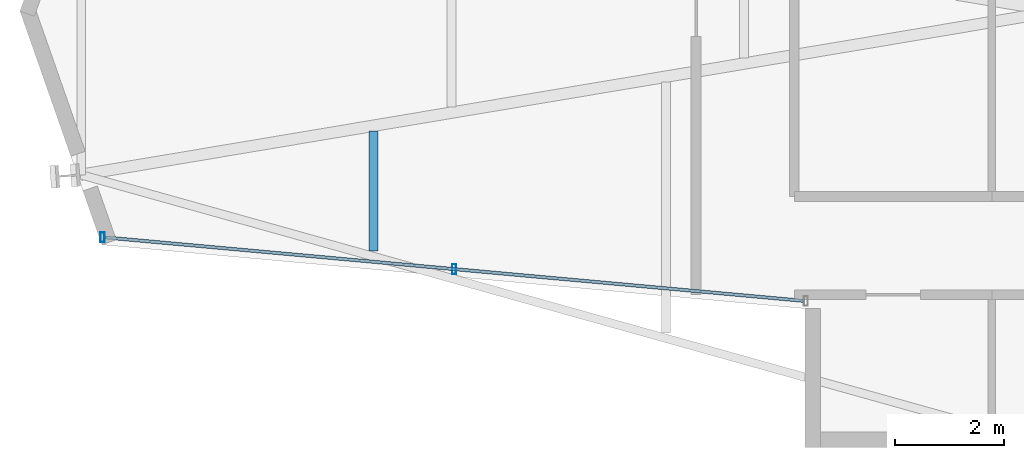
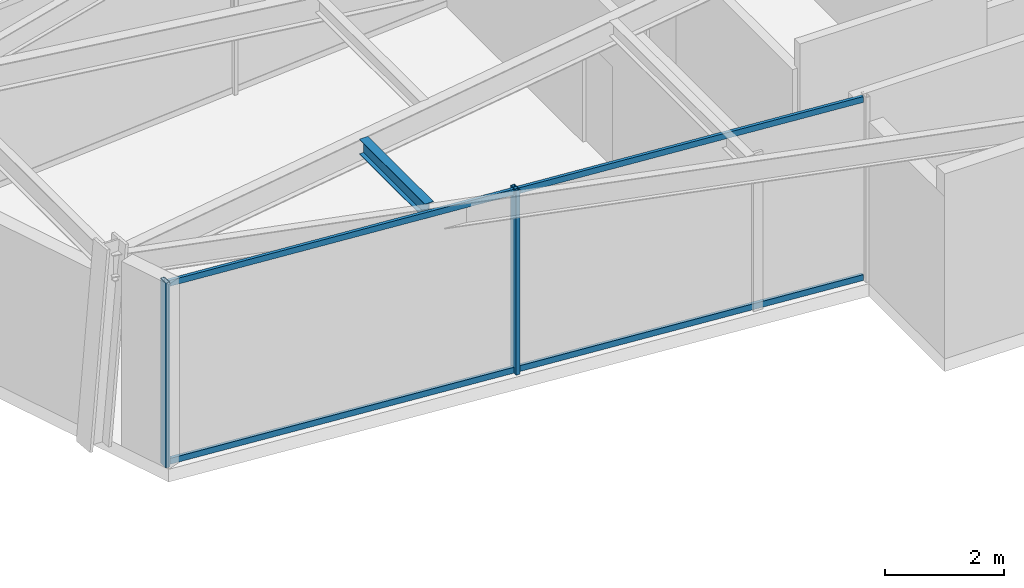
# One storey, part 2 of 23: 4 members, 1 beam, 1 element without a shape of its own.
"""IFC4 building model written with IfcOpenShell, lengths in metres."""

from ifc_helpers import new_model, si_unit, direction, frame, origin, origin_2d, place, context, subcontext, project, spatial, hollow_rectangle, i_section, extrude, material, layer, layer_set, material_profile, profile_set, type_object, element, aggregate, save


model = new_model("IFC4")

# Units and contexts
model_context = context("Model", 3, precision=1e-05, world=origin(), true_north=direction((0.0, 1.0)))
body_context = subcontext(model_context, "Body", "Model", "MODEL_VIEW")
ifc_project = project(units=[si_unit("LENGTHUNIT", "METRE"), si_unit("AREAUNIT", "SQUARE_METRE"), si_unit("VOLUMEUNIT", "CUBIC_METRE"), si_unit("PLANEANGLEUNIT", "RADIAN"), si_unit("MASSUNIT", "GRAM", prefix="KILO")], contexts=[model_context])

# Site, building, storey
site_placement = place(None, origin())
site = spatial("IfcSite", under=ifc_project, at=site_placement, CompositionType="ELEMENT")
building_placement = place(site_placement, origin())
building = spatial("IfcBuilding", under=site, at=building_placement, Name="Veymaron Broadcast Tower", CompositionType="ELEMENT")
storey_placement = place(building_placement, frame((0.0, 0.0, 199.949951171875)))
storey = spatial("IfcBuildingStorey", under=building, at=storey_placement, Name="L46", CompositionType="ELEMENT", Elevation=199.949951171875)

# Beam
ifc_material_1 = material(Name="Structural steel ASTM A992 Gr 50", Category="steel")
ifc_material_profile_1 = material_profile(ifc_material_1, i_section(OverallWidth=0.1650390625, OverallDepth=0.31005859375, WebThickness=0.005859375, FlangeThickness=0.009765625, at=origin_2d()), Name="W310X39")
ifc_profile_set_1 = profile_set([ifc_material_profile_1], Name="Structural steel ASTM A992 Gr 50")
beam_type = type_object("IfcBeamType", Name="BM-JS3", PredefinedType="JOIST", material=ifc_profile_set_1)
beam_placement = place(storey_placement, frame((18.68408203125, 19.60009765625, 3.635009765625), z_axis=(0.0, 1.0, 0.0), x_axis=(-1.0, 0.0, 0.0)))
element("IfcBeam", 1, at=beam_placement, inside=storey, type_object=beam_type, Name="L46 Arm-A secondary joist 1S", PredefinedType="JOIST", context=body_context, shape_type="SweptSolid", body=[
    extrude(i_section(OverallWidth=0.1650390625, OverallDepth=0.31005859375, WebThickness=0.005859375, FlangeThickness=0.009765625, at=origin_2d()), origin(), (0.0, 0.0, 1.0), 2.199951171875),
])

# Curtain wall, members
ifc_material_2 = material(Name="Anodised aluminium AA 6063-T6 and laminated low-E dark glass", Category="aluminium")
ifc_layer = layer(ifc_material_2, 0.179931640625)
ifc_layer_set = layer_set([ifc_layer], Name="Anodised aluminium AA 6063-T6 and laminated low-E dark glass")
curtain_wall_type = type_object("IfcCurtainWallType", Name="CW-SYS-05", PredefinedType="NOTDEFINED", material=ifc_layer_set)
curtain_wall_placement = place(storey_placement, origin())
curtain_wall = element("IfcCurtainWall", 2, at=curtain_wall_placement, inside=storey, type_object=curtain_wall_type, Name="L46 dark-glass curtain wall CW-L46-E14-1", PredefinedType="NOTDEFINED")
ifc_material_3 = material(Name="Anodised aluminium AA 6063-T6", Category="aluminium")
ifc_material_profile_2 = material_profile(ifc_material_3, hollow_rectangle(XDim=0.074951171875, YDim=0.179931640625, WallThickness=0.0048828125, at=origin_2d()), Name="AL180X75X5")
ifc_profile_set_2 = profile_set([ifc_material_profile_2], Name="Anodised aluminium AA 6063-T6")
member_type_1 = type_object("IfcMemberType", Name="CW-MUL-02", PredefinedType="MULLION", material=ifc_profile_set_2)
member_1_placement = place(storey_placement, frame((13.712646484375, 19.85595703125, 0.0), z_axis=(0.0, 0.0, 1.0), x_axis=(1.0, 0.0, 0.0)))
member_1 = element("IfcMember", 3, at=member_1_placement, type_object=member_type_1, Name="CW-L46-E14-1 mullion 0", PredefinedType="MULLION", context=body_context, shape_type="SweptSolid", body=[
    extrude(hollow_rectangle(XDim=0.074951171875, YDim=0.179931640625, WallThickness=0.0048828125, at=origin_2d()), origin(), (0.0, 0.0, 1.0), 3.7900390625),
])
member_2_placement = place(storey_placement, frame((20.16259765625, 19.270263671875, 0.0), z_axis=(0.0, 0.0, 1.0), x_axis=(1.0, 0.0, 0.0)))
member_2 = element("IfcMember", 4, at=member_2_placement, type_object=member_type_1, Name="CW-L46-E14-1 mullion 1", PredefinedType="MULLION", context=body_context, shape_type="SweptSolid", body=[
    extrude(hollow_rectangle(XDim=0.074951171875, YDim=0.179931640625, WallThickness=0.0048828125, at=origin_2d()), origin(), (0.0, 0.0, 1.0), 3.7900390625),
])
ifc_material_profile_3 = material_profile(ifc_material_3, hollow_rectangle(XDim=0.06005859375, YDim=0.1201171875, WallThickness=0.00390625, at=origin_2d()), Name="AL120X60X4")
ifc_profile_set_3 = profile_set([ifc_material_profile_3], Name="Anodised aluminium AA 6063-T6")
member_type_2 = type_object("IfcMemberType", Name="CW-TRN-02", PredefinedType="USERDEFINED", material=ifc_profile_set_3)
member_3_placement = place(storey_placement, frame((13.762451171875, 19.851318359375, 0.070068359375), z_axis=(0.995904253261, -0.090414148987, 0.0), x_axis=(0.090414148987, 0.995904253261, 0.0)))
member_3 = element("IfcMember", 5, at=member_3_placement, type_object=member_type_2, Name="CW-L46-E14-1 transom B", ObjectType="TRANSOM", PredefinedType="USERDEFINED", context=body_context, shape_type="SweptSolid", body=[
    extrude(hollow_rectangle(XDim=0.06005859375, YDim=0.1201171875, WallThickness=0.00390625, at=origin_2d()), origin(), (0.0, 0.0, 1.0), 12.853271484375),
])
member_4_placement = place(storey_placement, frame((13.762451171875, 19.851318359375, 3.719970703125), z_axis=(0.995904253261, -0.090414148987, 0.0), x_axis=(0.090414148987, 0.995904253261, 0.0)))
member_4 = element("IfcMember", 6, at=member_4_placement, type_object=member_type_2, Name="CW-L46-E14-1 transom T", ObjectType="TRANSOM", PredefinedType="USERDEFINED", context=body_context, shape_type="SweptSolid", body=[
    extrude(hollow_rectangle(XDim=0.06005859375, YDim=0.1201171875, WallThickness=0.00390625, at=origin_2d()), origin(), (0.0, 0.0, 1.0), 12.853271484375),
])
aggregate(curtain_wall, [member_1, member_2, member_3, member_4])

save(model, "model.ifc")
